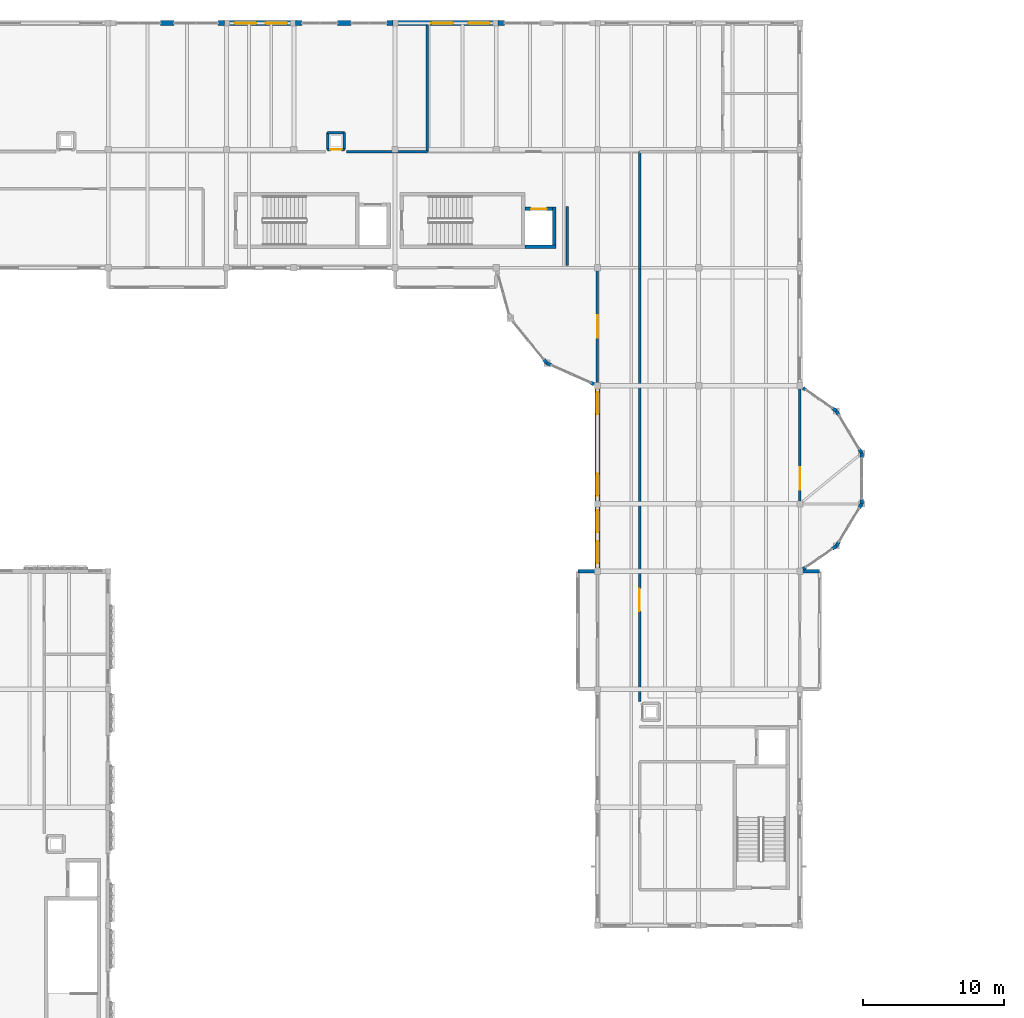
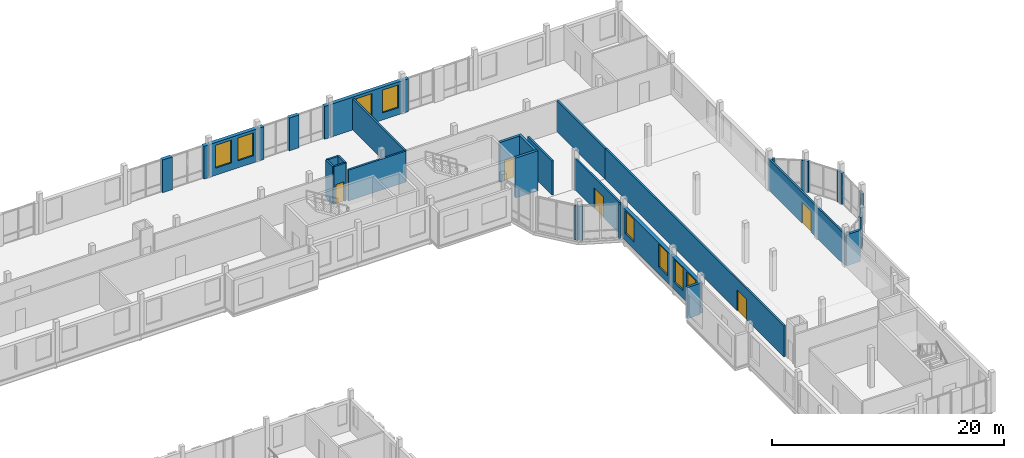
# One storey, part 61 of 81: 39 walls, 8 windows, 5 doors, 13 openings.
"""IFC4 building model written with IfcOpenShell, lengths in metres."""

from ifc_helpers import new_model, si_unit, direction, frame, frame_2d, origin, place, context, subcontext, project, spatial, rectangle, extrude, material, layer, layer_set, type_object, element, fill, save


model = new_model("IFC4")

# Units and contexts
model_context = context("Model", 3, precision=1e-05, world=origin(), true_north=direction((0.0, 1.0)))
body_context = subcontext(model_context, "Body", "Model", "MODEL_VIEW")
ifc_project = project(units=[si_unit("LENGTHUNIT", "METRE"), si_unit("AREAUNIT", "SQUARE_METRE"), si_unit("VOLUMEUNIT", "CUBIC_METRE"), si_unit("PLANEANGLEUNIT", "RADIAN"), si_unit("MASSUNIT", "GRAM", prefix="KILO")], contexts=[model_context])

# Site, building, storey
site_placement = place(None, origin())
site = spatial("IfcSite", under=ifc_project, at=site_placement, CompositionType="ELEMENT")
building_placement = place(site_placement, origin())
building = spatial("IfcBuilding", under=site, at=building_placement, Name="Kahlenmark Community Centre", CompositionType="ELEMENT")
storey_placement = place(building_placement, frame((0.0, 0.0, 9.60009765625)))
storey = spatial("IfcBuildingStorey", under=building, at=storey_placement, Name="L02", CompositionType="ELEMENT", Elevation=9.60009765625)

# Walls
ifc_material_1 = material(Name="Concrete C35/45", Category="concrete")
ifc_layer_1 = layer(ifc_material_1, 0.25)
ifc_layer_set_1 = layer_set([ifc_layer_1], Name="Concrete C35/45")
wall_type_1 = type_object("IfcWallType", Name="WT-CORE-250", PredefinedType="SHEAR", material=ifc_layer_set_1)
wall_1_placement = place(storey_placement, frame((67.25, 99.074951171875, 0.0), z_axis=(0.0, 0.0, 1.0), x_axis=(1.0, 0.0, 0.0)))
element("IfcWall", 1, at=wall_1_placement, inside=storey, type_object=wall_type_1, Name="Core K5 shear wall WL-CORE-K5-L02-0173", PredefinedType="SHEAR", context=body_context, shape_type="SweptSolid", body=[
    extrude(rectangle(XDim=2.2099609375, YDim=0.25, at=frame_2d((1.10498046875, 0.0))), origin(), (0.0, 0.0, 1.0), 4.199951171875),
])
wall_2_placement = place(storey_placement, frame((69.3349609375, 98.949951171875, 0.0), z_axis=(0.0, 0.0, 1.0), x_axis=(0.0, 1.0, 0.0)))
element("IfcWall", 2, at=wall_2_placement, inside=storey, type_object=wall_type_1, Name="Core K5 shear wall WL-CORE-K5-L02-0174", PredefinedType="SHEAR", context=body_context, shape_type="SweptSolid", body=[
    extrude(rectangle(XDim=2.9599609375, YDim=0.25, at=frame_2d((1.47998046875, 0.0))), origin(), (0.0, 0.0, 1.0), 4.199951171875),
])

# Wall, opening, door
wall_3_placement = place(storey_placement, frame((67.25, 101.784912109375, 0.0), z_axis=(0.0, 0.0, 1.0), x_axis=(1.0, 0.0, 0.0)))
wall_3 = element("IfcWall", 3, at=wall_3_placement, inside=storey, type_object=wall_type_1, Name="Core K5 shear wall WL-CORE-K5-L02-0175", PredefinedType="SHEAR", context=body_context, shape_type="SweptSolid", body=[
    extrude(rectangle(XDim=1.9599609375, YDim=0.25, at=frame_2d((0.97998046875, 0.0))), origin(), (0.0, 0.0, 1.0), 4.199951171875),
])
opening_1_placement = place(wall_3_placement, frame((0.429931640625, 0.0, -0.010009765625)))
opening_1 = element("IfcOpeningElement", 4, at=opening_1_placement, cuts=wall_3, Name="Opening LD-5", PredefinedType="OPENING", context=body_context, shape_type="SweptSolid", body=[
    extrude(rectangle(XDim=1.10009765625, YDim=2.159912109375, at=frame_2d((0.550048828125, 1.080078125))), frame((0.0, 0.135009765625, 0.0), z_axis=(0.0, -1.0, 0.0), x_axis=(1.0, 0.0, 0.0)), (0.0, 0.0, 1.0), 0.27001953125),
])
ifc_material_2 = material(Name="Brushed stainless steel sliding lift landing door", Category="steel")
door_type_1 = type_object("IfcDoorType", Name="DT-LD-K5", OperationType="SLIDING_TO_LEFT", PredefinedType="DOOR", material=ifc_material_2)
door_1_placement = place(opening_1_placement, frame((0.0, 0.0, 0.010009765625)))
door_1 = element("IfcDoor", 5, at=door_1_placement, inside=storey, type_object=door_type_1, Name="Lift LF-05 sliding landing door L02", OperationType="SLIDING_TO_LEFT", OverallHeight=2.14990234375, OverallWidth=1.10009765625, PredefinedType="DOOR", context=body_context, shape_type="SweptSolid", body=[
    extrude(rectangle(XDim=1.10009765625, YDim=2.14990234375, at=frame_2d((0.550048828125, 1.074951171875))), frame((0.0, 0.02490234375, 0.0), z_axis=(0.0, -1.0, 0.0), x_axis=(1.0, 0.0, 0.0)), (0.0, 0.0, 1.0), 0.050048828125),
])
fill(opening_1, door_1)

# Walls
ifc_material_3 = material(Name="Cross-laminated timber CLT C24", Category="wood")
ifc_layer_2 = layer(ifc_material_3, 0.239990234375)
ifc_layer_set_2 = layer_set([ifc_layer_2], Name="Cross-laminated timber CLT C24")
wall_type_2 = type_object("IfcWallType", Name="WT-EW-240", PredefinedType="SOLIDWALL", material=ifc_layer_set_2)
wall_4_placement = place(storey_placement, frame((87.0302734375, 76.159423828125, 0.0), z_axis=(0.0, 0.0, 1.0), x_axis=(0.822192191644, 0.56920997883, 0.0)))
element("IfcWall", 6, at=wall_4_placement, inside=storey, type_object=wall_type_2, Name="Rotunda pier closure 0726", PredefinedType="SOLIDWALL", context=body_context, shape_type="SweptSolid", body=[
    extrude(rectangle(XDim=0.219970703125, YDim=0.239990234375, at=frame_2d((0.10986328125, 0.0))), origin(), (0.0, 0.0, 1.0), 3.27001953125),
])
wall_5_placement = place(storey_placement, frame((89.12060546875, 77.6064453125, 0.0), z_axis=(0.0, 0.0, 1.0), x_axis=(0.821855834467, 0.569695521619, 0.0)))
element("IfcWall", 7, at=wall_5_placement, inside=storey, type_object=wall_type_2, Name="Rotunda pier closure 0727", PredefinedType="SOLIDWALL", context=body_context, shape_type="SweptSolid", body=[
    extrude(rectangle(XDim=0.33984375, YDim=0.239990234375, at=frame_2d((0.169921875, 0.0))), origin(), (0.0, 0.0, 1.0), 3.27001953125),
])
wall_6_placement = place(storey_placement, frame((89.39990234375, 77.800048828125, 0.0), z_axis=(0.0, 0.0, 1.0), x_axis=(0.514812489021, 0.857302805984, 0.0)))
element("IfcWall", 8, at=wall_6_placement, inside=storey, type_object=wall_type_2, Name="Rotunda pier closure 0728", PredefinedType="SOLIDWALL", context=body_context, shape_type="SweptSolid", body=[
    extrude(rectangle(XDim=0.340087890625, YDim=0.239990234375, at=frame_2d((0.169921875, 0.0))), origin(), (0.0, 0.0, 1.0), 3.27001953125),
])
for number, where, z_axis, x_axis, name in (
    (9, (91.025146484375, 80.508544921875, 0.0), (0.0, 0.0, 1.0), (0.514284482632, 0.857619653998, 0.0), "Rotunda pier closure 0729"),
    (10, (91.199951171875, 80.800048828125, 0.0), (0.0, 0.0, 1.0), (0.0, 1.0, 0.0), "Rotunda pier closure 0730"),
    (11, (91.199951171875, 84.06005859375, 0.0), (0.0, 0.0, 1.0), (0.0, 1.0, 0.0), "Rotunda pier closure 0731"),
    (12, (91.199951171875, 84.39990234375, 0.0), (0.0, 0.0, 1.0), (-0.514284482632, 0.857619653998, 0.0), "Rotunda pier closure 0732"),
):
    element("IfcWall", number, at=place(storey_placement, frame(where, z_axis=z_axis, x_axis=x_axis)), inside=storey, type_object=wall_type_2, Name=name, PredefinedType="SOLIDWALL", context=body_context, shape_type="SweptSolid", body=[
        extrude(rectangle(XDim=0.33984375, YDim=0.239990234375, at=frame_2d((0.169921875, 0.0))), origin(), (0.0, 0.0, 1.0), 3.27001953125),
    ])
wall_7_placement = place(storey_placement, frame((89.574951171875, 87.1083984375, 0.0), z_axis=(0.0, 0.0, 1.0), x_axis=(-0.514812489021, 0.857302805984, 0.0)))
element("IfcWall", 13, at=wall_7_placement, inside=storey, type_object=wall_type_2, Name="Rotunda pier closure 0733", PredefinedType="SOLIDWALL", context=body_context, shape_type="SweptSolid", body=[
    extrude(rectangle(XDim=0.340087890625, YDim=0.239990234375, at=frame_2d((0.169921875, 0.0))), origin(), (0.0, 0.0, 1.0), 3.27001953125),
])
wall_8_placement = place(storey_placement, frame((89.39990234375, 87.39990234375, 0.0), z_axis=(0.0, 0.0, 1.0), x_axis=(-0.821855834467, 0.569695521619, 0.0)))
element("IfcWall", 14, at=wall_8_placement, inside=storey, type_object=wall_type_2, Name="Rotunda pier closure 0734", PredefinedType="SOLIDWALL", context=body_context, shape_type="SweptSolid", body=[
    extrude(rectangle(XDim=0.33984375, YDim=0.239990234375, at=frame_2d((0.169921875, 0.0))), origin(), (0.0, 0.0, 1.0), 3.27001953125),
])
wall_9_placement = place(storey_placement, frame((87.211181640625, 88.915283203125, 0.0), z_axis=(0.0, 0.0, 1.0), x_axis=(-0.822192191644, 0.56920997883, 0.0)))
element("IfcWall", 15, at=wall_9_placement, inside=storey, type_object=wall_type_2, Name="Rotunda pier closure 0735", PredefinedType="SOLIDWALL", context=body_context, shape_type="SweptSolid", body=[
    extrude(rectangle(XDim=0.219970703125, YDim=0.239990234375, at=frame_2d((0.10986328125, 0.0))), origin(), (0.0, 0.0, 1.0), 3.27001953125),
])
wall_10_placement = place(storey_placement, frame((68.585693359375, 91.06396484375, 0.0), z_axis=(0.0, 0.0, 1.0), x_axis=(0.630457451131, -0.776223809422, 0.0)))
element("IfcWall", 16, at=wall_10_placement, inside=storey, type_object=wall_type_2, Name="Rotunda pier closure 0783", PredefinedType="SOLIDWALL", context=body_context, shape_type="SweptSolid", body=[
    extrude(rectangle(XDim=0.340087890625, YDim=0.239990234375, at=frame_2d((0.169921875, 0.0))), origin(), (0.0, 0.0, 1.0), 3.60986328125),
])
wall_11_placement = place(storey_placement, frame((68.800048828125, 90.800048828125, 0.0), z_axis=(0.0, 0.0, 1.0), x_axis=(0.913633745955, -0.406538286329, 0.0)))
element("IfcWall", 17, at=wall_11_placement, inside=storey, type_object=wall_type_2, Name="Rotunda pier closure 0784", PredefinedType="SOLIDWALL", context=body_context, shape_type="SweptSolid", body=[
    extrude(rectangle(XDim=0.33984375, YDim=0.239990234375, at=frame_2d((0.169921875, 0.0))), origin(), (0.0, 0.0, 1.0), 3.60986328125),
])
wall_12_placement = place(storey_placement, frame((71.943115234375, 89.403076171875, 0.0), z_axis=(0.0, 0.0, 1.0), x_axis=(0.913719959968, -0.406344477944, 0.0)))
element("IfcWall", 18, at=wall_12_placement, inside=storey, type_object=wall_type_2, Name="Rotunda pier closure 0785", PredefinedType="SOLIDWALL", context=body_context, shape_type="SweptSolid", body=[
    extrude(rectangle(XDim=0.219970703125, YDim=0.239990234375, at=frame_2d((0.10986328125, 0.0))), origin(), (0.0, 0.0, 1.0), 3.60986328125),
])
wall_13_placement = place(storey_placement, frame((88.199951171875, 76.0, 0.0), z_axis=(0.0, 0.0, 1.0), x_axis=(-1.0, 0.0, 0.0)))
element("IfcWall", 19, at=wall_13_placement, inside=storey, type_object=wall_type_2, Name="Bay oriel wall WL-ORI-L02-0813", PredefinedType="SOLIDWALL", context=body_context, shape_type="SweptSolid", body=[
    extrude(rectangle(XDim=1.39990234375, YDim=0.239990234375, at=frame_2d((0.699951171875, 0.0))), origin(), (0.0, 0.0, 1.0), 3.27001953125),
])
wall_14_placement = place(storey_placement, frame((71.0, 76.0, 0.0), z_axis=(0.0, 0.0, 1.0), x_axis=(1.0, 0.0, 0.0)))
element("IfcWall", 20, at=wall_14_placement, inside=storey, type_object=wall_type_2, Name="Bay oriel wall WL-ORI-L02-0849", PredefinedType="SOLIDWALL", context=body_context, shape_type="SweptSolid", body=[
    extrude(rectangle(XDim=1.25, YDim=0.239990234375, at=frame_2d((0.625, 0.0))), origin(), (0.0, 0.0, 1.0), 3.27001953125),
])
ifc_material_4 = material(Name="Danube limestone masonry", Category="masonry")
ifc_layer_3 = layer(ifc_material_4, 0.360107421875)
ifc_layer_set_3 = layer_set([ifc_layer_3], Name="Danube limestone masonry")
wall_type_3 = type_object("IfcWallType", Name="WT-EW-360", PredefinedType="SOLIDWALL", material=ifc_layer_set_3)
wall_15_placement = place(storey_placement, frame((42.280029296875, 115.0, 0.0), z_axis=(0.0, 0.0, 1.0), x_axis=(-1.0, 0.0, 0.0)))
element("IfcWall", 21, at=wall_15_placement, inside=storey, type_object=wall_type_3, Name="Postmodern limestone pier 0501", PredefinedType="SOLIDWALL", context=body_context, shape_type="SweptSolid", body=[
    extrude(rectangle(XDim=0.9599609375, YDim=0.360107421875, at=frame_2d((0.47998046875, 0.0))), origin(), (0.0, 0.0, 1.0), 3.449951171875),
])
wall_16_placement = place(storey_placement, frame((45.8701171875, 115.0, 0.0), z_axis=(0.0, 0.0, 1.0), x_axis=(-1.0, 0.0, 0.0)))
element("IfcWall", 22, at=wall_16_placement, inside=storey, type_object=wall_type_3, Name="Column closure pier 0502", PredefinedType="SOLIDWALL", context=body_context, shape_type="SweptSolid", body=[
    extrude(rectangle(XDim=0.4501953125, YDim=0.360107421875, at=frame_2d((0.22509765625, 0.0))), origin(), (0.0, 0.0, 1.0), 3.449951171875),
])

# Wall, openings, windows
wall_17_placement = place(storey_placement, frame((50.800048828125, 115.0, 0.0), z_axis=(0.0, 0.0, 1.0), x_axis=(-1.0, 0.0, 0.0)))
wall_17 = element("IfcWall", 23, at=wall_17_placement, inside=storey, type_object=wall_type_3, Name="Exterior wall WL-EXT-L02-0504", PredefinedType="SOLIDWALL", context=body_context, shape_type="SweptSolid", body=[
    extrude(rectangle(XDim=4.800048828125, YDim=0.360107421875, at=frame_2d((2.39990234375, 0.0))), origin(), (0.0, 0.0, 1.0), 3.449951171875),
])
opening_2_placement = place(wall_17_placement, frame((0.4599609375, 0.0, 0.75)))
opening_2 = element("IfcOpeningElement", 24, at=opening_2_placement, cuts=wall_17, Name="Opening W-155X240", PredefinedType="OPENING", context=body_context, shape_type="SweptSolid", body=[
    extrude(rectangle(XDim=1.550048828125, YDim=2.39990234375, at=frame_2d((0.77490234375, 1.199951171875))), frame((0.0, 0.18994140625, 0.0), z_axis=(0.0, -1.0, 0.0), x_axis=(1.0, 0.0, 0.0)), (0.0, 0.0, 1.0), 0.380126953125),
])
opening_3_placement = place(wall_17_placement, frame((2.659912109375, 0.0, 0.75)))
opening_3 = element("IfcOpeningElement", 25, at=opening_3_placement, cuts=wall_17, Name="Opening W-155X240", PredefinedType="OPENING", context=body_context, shape_type="SweptSolid", body=[
    extrude(rectangle(XDim=1.550048828125, YDim=2.39990234375, at=frame_2d((0.77490234375, 1.199951171875))), frame((0.0, 0.18994140625, 0.0), z_axis=(0.0, -1.0, 0.0), x_axis=(1.0, 0.0, 0.0)), (0.0, 0.0, 1.0), 0.380126953125),
])
ifc_material_5 = material(Name="Deep-reveal limestone punched triple glazing", Category="masonry")
window_type_1 = type_object("IfcWindowType", Name="WNT-155X240", PartitioningType="DOUBLE_PANEL_HORIZONTAL", PredefinedType="WINDOW", material=ifc_material_5)
window_1_placement = place(opening_2_placement, origin())
window_1 = element("IfcWindow", 26, at=window_1_placement, inside=storey, type_object=window_type_1, Name="Window W-155X240 #0299", OverallHeight=2.39990234375, OverallWidth=1.550048828125, PartitioningType="DOUBLE_PANEL_HORIZONTAL", PredefinedType="WINDOW", context=body_context, shape_type="SweptSolid", body=[
    extrude(rectangle(XDim=1.550048828125, YDim=2.39990234375, at=frame_2d((0.77490234375, 1.199951171875))), frame((0.0, 0.030029296875, 0.0), z_axis=(0.0, -1.0, 0.0), x_axis=(1.0, 0.0, 0.0)), (0.0, 0.0, 1.0), 0.06005859375),
])
fill(opening_2, window_1)
window_2_placement = place(opening_3_placement, origin())
window_2 = element("IfcWindow", 27, at=window_2_placement, inside=storey, type_object=window_type_1, Name="Window W-155X240 #0300", OverallHeight=2.39990234375, OverallWidth=1.550048828125, PartitioningType="DOUBLE_PANEL_HORIZONTAL", PredefinedType="WINDOW", context=body_context, shape_type="SweptSolid", body=[
    extrude(rectangle(XDim=1.550048828125, YDim=2.39990234375, at=frame_2d((0.77490234375, 1.199951171875))), frame((0.0, 0.030029296875, 0.0), z_axis=(0.0, -1.0, 0.0), x_axis=(1.0, 0.0, 0.0)), (0.0, 0.0, 1.0), 0.06005859375),
])
fill(opening_3, window_2)

# Walls
wall_18_placement = place(storey_placement, frame((54.8798828125, 115.0, 0.0), z_axis=(0.0, 0.0, 1.0), x_axis=(-1.0, 0.0, 0.0)))
element("IfcWall", 28, at=wall_18_placement, inside=storey, type_object=wall_type_3, Name="Postmodern limestone pier 0505", PredefinedType="SOLIDWALL", context=body_context, shape_type="SweptSolid", body=[
    extrude(rectangle(XDim=0.9599609375, YDim=0.360107421875, at=frame_2d((0.47998046875, 0.0))), origin(), (0.0, 0.0, 1.0), 3.449951171875),
])
wall_19_placement = place(storey_placement, frame((57.8701171875, 115.0, 0.0), z_axis=(0.0, 0.0, 1.0), x_axis=(-1.0, 0.0, 0.0)))
element("IfcWall", 29, at=wall_19_placement, inside=storey, type_object=wall_type_3, Name="Column closure pier 0506", PredefinedType="SOLIDWALL", context=body_context, shape_type="SweptSolid", body=[
    extrude(rectangle(XDim=0.4501953125, YDim=0.360107421875, at=frame_2d((0.22509765625, 0.0))), origin(), (0.0, 0.0, 1.0), 3.449951171875),
])
wall_20_placement = place(storey_placement, frame((51.3798828125, 115.0, 0.0), z_axis=(0.0, 0.0, 1.0), x_axis=(-1.0, 0.0, 0.0)))
element("IfcWall", 30, at=wall_20_placement, inside=storey, type_object=wall_type_3, Name="Column closure pier 0507", PredefinedType="SOLIDWALL", context=body_context, shape_type="SweptSolid", body=[
    extrude(rectangle(XDim=0.449951171875, YDim=0.360107421875, at=frame_2d((0.22509765625, 0.0))), origin(), (0.0, 0.0, 1.0), 3.449951171875),
])

# Wall, openings, windows
wall_21_placement = place(storey_placement, frame((65.199951171875, 115.0, 0.0), z_axis=(0.0, 0.0, 1.0), x_axis=(-1.0, 0.0, 0.0)))
wall_21 = element("IfcWall", 31, at=wall_21_placement, inside=storey, type_object=wall_type_3, Name="Exterior wall WL-EXT-L02-0508", PredefinedType="SOLIDWALL", context=body_context, shape_type="SweptSolid", body=[
    extrude(rectangle(XDim=7.199951171875, YDim=0.360107421875, at=frame_2d((3.60009765625, 0.0))), origin(), (0.0, 0.0, 1.0), 3.449951171875),
])
opening_4_placement = place(wall_21_placement, frame((0.4599609375, 0.0, 0.75)))
opening_4 = element("IfcOpeningElement", 32, at=opening_4_placement, cuts=wall_21, Name="Opening W-155X240", PredefinedType="OPENING", context=body_context, shape_type="SweptSolid", body=[
    extrude(rectangle(XDim=1.550048828125, YDim=2.39990234375, at=frame_2d((0.77490234375, 1.199951171875))), frame((0.0, 0.18994140625, 0.0), z_axis=(0.0, -1.0, 0.0), x_axis=(1.0, 0.0, 0.0)), (0.0, 0.0, 1.0), 0.380126953125),
])
opening_5_placement = place(wall_21_placement, frame((3.06005859375, 0.0, 0.75)))
opening_5 = element("IfcOpeningElement", 33, at=opening_5_placement, cuts=wall_21, Name="Opening W-155X240", PredefinedType="OPENING", context=body_context, shape_type="SweptSolid", body=[
    extrude(rectangle(XDim=1.550048828125, YDim=2.39990234375, at=frame_2d((0.77490234375, 1.199951171875))), frame((0.0, 0.18994140625, 0.0), z_axis=(0.0, -1.0, 0.0), x_axis=(1.0, 0.0, 0.0)), (0.0, 0.0, 1.0), 0.380126953125),
])
window_3_placement = place(opening_4_placement, origin())
window_3 = element("IfcWindow", 34, at=window_3_placement, inside=storey, type_object=window_type_1, Name="Window W-155X240 #0301", OverallHeight=2.39990234375, OverallWidth=1.550048828125, PartitioningType="DOUBLE_PANEL_HORIZONTAL", PredefinedType="WINDOW", context=body_context, shape_type="SweptSolid", body=[
    extrude(rectangle(XDim=1.550048828125, YDim=2.39990234375, at=frame_2d((0.77490234375, 1.199951171875))), frame((0.0, 0.030029296875, 0.0), z_axis=(0.0, -1.0, 0.0), x_axis=(1.0, 0.0, 0.0)), (0.0, 0.0, 1.0), 0.06005859375),
])
fill(opening_4, window_3)
window_4_placement = place(opening_5_placement, origin())
window_4 = element("IfcWindow", 35, at=window_4_placement, inside=storey, type_object=window_type_1, Name="Window W-155X240 #0302", OverallHeight=2.39990234375, OverallWidth=1.550048828125, PartitioningType="DOUBLE_PANEL_HORIZONTAL", PredefinedType="WINDOW", context=body_context, shape_type="SweptSolid", body=[
    extrude(rectangle(XDim=1.550048828125, YDim=2.39990234375, at=frame_2d((0.77490234375, 1.199951171875))), frame((0.0, 0.030029296875, 0.0), z_axis=(0.0, -1.0, 0.0), x_axis=(1.0, 0.0, 0.0)), (0.0, 0.0, 1.0), 0.06005859375),
])
fill(opening_5, window_4)

# Wall
wall_22_placement = place(storey_placement, frame((65.780029296875, 115.0, 0.0), z_axis=(0.0, 0.0, 1.0), x_axis=(-1.0, 0.0, 0.0)))
element("IfcWall", 36, at=wall_22_placement, inside=storey, type_object=wall_type_3, Name="Column closure pier 0511", PredefinedType="SOLIDWALL", context=body_context, shape_type="SweptSolid", body=[
    extrude(rectangle(XDim=0.449951171875, YDim=0.360107421875, at=frame_2d((0.22509765625, 0.0))), origin(), (0.0, 0.0, 1.0), 3.449951171875),
])

# Wall, openings, windows
wall_23_placement = place(storey_placement, frame((72.39990234375, 80.800048828125, 0.0), z_axis=(0.0, 0.0, 1.0), x_axis=(0.0, -1.0, 0.0)))
wall_23 = element("IfcWall", 37, at=wall_23_placement, inside=storey, type_object=wall_type_3, Name="Exterior wall WL-EXT-L02-0526", PredefinedType="SOLIDWALL", context=body_context, shape_type="SweptSolid", body=[
    extrude(rectangle(XDim=4.800048828125, YDim=0.360107421875, at=frame_2d((2.39990234375, 0.0))), origin(), (0.0, 0.0, 1.0), 3.27001953125),
])
opening_6_placement = place(wall_23_placement, frame((0.4599609375, 0.0, 0.75)))
opening_6 = element("IfcOpeningElement", 38, at=opening_6_placement, cuts=wall_23, Name="Opening W-155X238", PredefinedType="OPENING", context=body_context, shape_type="SweptSolid", body=[
    extrude(rectangle(XDim=1.550048828125, YDim=2.3798828125, at=frame_2d((0.77490234375, 1.18994140625))), frame((0.0, 0.18994140625, 0.0), z_axis=(0.0, -1.0, 0.0), x_axis=(1.0, 0.0, 0.0)), (0.0, 0.0, 1.0), 0.380126953125),
])
opening_7_placement = place(wall_23_placement, frame((2.659912109375, 0.0, 0.75)))
opening_7 = element("IfcOpeningElement", 39, at=opening_7_placement, cuts=wall_23, Name="Opening W-155X238", PredefinedType="OPENING", context=body_context, shape_type="SweptSolid", body=[
    extrude(rectangle(XDim=1.550048828125, YDim=2.3798828125, at=frame_2d((0.77490234375, 1.18994140625))), frame((0.0, 0.18994140625, 0.0), z_axis=(0.0, -1.0, 0.0), x_axis=(1.0, 0.0, 0.0)), (0.0, 0.0, 1.0), 0.380126953125),
])
window_type_2 = type_object("IfcWindowType", Name="WNT-155X238", PartitioningType="DOUBLE_PANEL_HORIZONTAL", PredefinedType="WINDOW", material=ifc_material_5)
window_5_placement = place(opening_6_placement, origin())
window_5 = element("IfcWindow", 40, at=window_5_placement, inside=storey, type_object=window_type_2, Name="Window W-155X238 #0319", OverallHeight=2.3798828125, OverallWidth=1.550048828125, PartitioningType="DOUBLE_PANEL_HORIZONTAL", PredefinedType="WINDOW", context=body_context, shape_type="SweptSolid", body=[
    extrude(rectangle(XDim=1.550048828125, YDim=2.3798828125, at=frame_2d((0.77490234375, 1.18994140625))), frame((0.0, 0.030029296875, 0.0), z_axis=(0.0, -1.0, 0.0), x_axis=(1.0, 0.0, 0.0)), (0.0, 0.0, 1.0), 0.06005859375),
])
fill(opening_6, window_5)
window_6_placement = place(opening_7_placement, origin())
window_6 = element("IfcWindow", 41, at=window_6_placement, inside=storey, type_object=window_type_2, Name="Window W-155X238 #0320", OverallHeight=2.3798828125, OverallWidth=1.550048828125, PartitioningType="DOUBLE_PANEL_HORIZONTAL", PredefinedType="WINDOW", context=body_context, shape_type="SweptSolid", body=[
    extrude(rectangle(XDim=1.550048828125, YDim=2.3798828125, at=frame_2d((0.77490234375, 1.18994140625))), frame((0.0, 0.030029296875, 0.0), z_axis=(0.0, -1.0, 0.0), x_axis=(1.0, 0.0, 0.0)), (0.0, 0.0, 1.0), 0.06005859375),
])
fill(opening_7, window_6)

wall_24_placement = place(storey_placement, frame((72.39990234375, 89.199951171875, 0.0), z_axis=(0.0, 0.0, 1.0), x_axis=(0.0, -1.0, 0.0)))
wall_24 = element("IfcWall", 42, at=wall_24_placement, inside=storey, type_object=wall_type_3, Name="Exterior wall WL-EXT-L02-0527", PredefinedType="SOLIDWALL", context=body_context, shape_type="SweptSolid", body=[
    extrude(rectangle(XDim=8.39990234375, YDim=0.360107421875, at=frame_2d((4.199951171875, 0.0))), origin(), (0.0, 0.0, 1.0), 3.27001953125),
])
opening_8_placement = place(wall_24_placement, frame((0.4599609375, 0.0, 0.75)))
opening_8 = element("IfcOpeningElement", 43, at=opening_8_placement, cuts=wall_24, Name="Opening W-155X238", PredefinedType="OPENING", context=body_context, shape_type="SweptSolid", body=[
    extrude(rectangle(XDim=1.550048828125, YDim=2.3798828125, at=frame_2d((0.77490234375, 1.18994140625))), frame((0.0, 0.18994140625, 0.0), z_axis=(0.0, -1.0, 0.0), x_axis=(1.0, 0.0, 0.0)), (0.0, 0.0, 1.0), 0.380126953125),
])
opening_9_placement = place(wall_24_placement, frame((6.260009765625, 0.0, 0.75)))
opening_9 = element("IfcOpeningElement", 44, at=opening_9_placement, cuts=wall_24, Name="Opening W-155X238", PredefinedType="OPENING", context=body_context, shape_type="SweptSolid", body=[
    extrude(rectangle(XDim=1.550048828125, YDim=2.3798828125, at=frame_2d((0.77490234375, 1.18994140625))), frame((0.0, 0.18994140625, 0.0), z_axis=(0.0, -1.0, 0.0), x_axis=(1.0, 0.0, 0.0)), (0.0, 0.0, 1.0), 0.380126953125),
])
window_7_placement = place(opening_8_placement, origin())
window_7 = element("IfcWindow", 45, at=window_7_placement, inside=storey, type_object=window_type_2, Name="Window W-155X238 #0321", OverallHeight=2.3798828125, OverallWidth=1.550048828125, PartitioningType="DOUBLE_PANEL_HORIZONTAL", PredefinedType="WINDOW", context=body_context, shape_type="SweptSolid", body=[
    extrude(rectangle(XDim=1.550048828125, YDim=2.3798828125, at=frame_2d((0.77490234375, 1.18994140625))), frame((0.0, 0.030029296875, 0.0), z_axis=(0.0, -1.0, 0.0), x_axis=(1.0, 0.0, 0.0)), (0.0, 0.0, 1.0), 0.06005859375),
])
fill(opening_8, window_7)
window_8_placement = place(opening_9_placement, origin())
window_8 = element("IfcWindow", 46, at=window_8_placement, inside=storey, type_object=window_type_2, Name="Window W-155X238 #0322", OverallHeight=2.3798828125, OverallWidth=1.550048828125, PartitioningType="DOUBLE_PANEL_HORIZONTAL", PredefinedType="WINDOW", context=body_context, shape_type="SweptSolid", body=[
    extrude(rectangle(XDim=1.550048828125, YDim=2.3798828125, at=frame_2d((0.77490234375, 1.18994140625))), frame((0.0, 0.030029296875, 0.0), z_axis=(0.0, -1.0, 0.0), x_axis=(1.0, 0.0, 0.0)), (0.0, 0.0, 1.0), 0.06005859375),
])
fill(opening_9, window_8)

# Walls
ifc_material_6 = material(Name="Gypsum plasterboard partition", Category="gypsum")
ifc_layer_4 = layer(ifc_material_6, 0.179931640625)
ifc_layer_set_4 = layer_set([ifc_layer_4], Name="Gypsum plasterboard partition")
wall_type_4 = type_object("IfcWallType", Name="WT-PW-180", PredefinedType="PARTITIONING", material=ifc_layer_set_4)
wall_25_placement = place(storey_placement, frame((70.25, 97.760009765625, 0.0), z_axis=(0.0, 0.0, 1.0), x_axis=(0.0, 1.0, 0.0)))
element("IfcWall", 47, at=wall_25_placement, inside=storey, type_object=wall_type_4, Name="Interior partition WL-INT-L02-0192", PredefinedType="PARTITIONING", context=body_context, shape_type="SweptSolid", body=[
    extrude(rectangle(XDim=4.18994140625, YDim=0.179931640625, at=frame_2d((2.094970703125, 0.0))), origin(), (0.0, 0.0, 1.0), 3.60986328125),
])
wall_26_placement = place(storey_placement, frame((54.550048828125, 105.85009765625, 0.0), z_axis=(0.0, 0.0, 1.0), x_axis=(1.0, 0.0, 0.0)))
element("IfcWall", 48, at=wall_26_placement, inside=storey, type_object=wall_type_4, Name="Interior partition WL-INT-L02-0195", PredefinedType="PARTITIONING", context=body_context, shape_type="SweptSolid", body=[
    extrude(rectangle(XDim=5.75, YDim=0.179931640625, at=frame_2d((2.875, 0.0))), origin(), (0.0, 0.0, 1.0), 3.25),
])
wall_27_placement = place(storey_placement, frame((60.300048828125, 105.85009765625, 0.0), z_axis=(0.0, 0.0, 1.0), x_axis=(0.0, 1.0, 0.0)))
element("IfcWall", 49, at=wall_27_placement, inside=storey, type_object=wall_type_4, Name="Interior partition WL-INT-L02-0199", PredefinedType="PARTITIONING", context=body_context, shape_type="SweptSolid", body=[
    extrude(rectangle(XDim=9.010009765625, YDim=0.179931640625, at=frame_2d((4.5048828125, 0.0))), origin(), (0.0, 0.0, 1.0), 3.25),
])

# Wall, opening, door
wall_28_placement = place(storey_placement, frame((75.39990234375, 66.75, 0.0), z_axis=(0.0, 0.0, 1.0), x_axis=(0.0, 1.0, 0.0)))
wall_28 = element("IfcWall", 50, at=wall_28_placement, inside=storey, type_object=wall_type_4, Name="Interior partition WL-INT-L02-0207", PredefinedType="PARTITIONING", context=body_context, shape_type="SweptSolid", body=[
    extrude(rectangle(XDim=30.75, YDim=0.179931640625, at=frame_2d((15.375, 0.0))), origin(), (0.0, 0.0, 1.0), 3.27001953125),
])
opening_10_placement = place(wall_28_placement, frame((6.4130859375, 0.0, -0.010009765625)))
opening_10 = element("IfcOpeningElement", 51, at=opening_10_placement, cuts=wall_28, Name="Opening D-L02-119", PredefinedType="OPENING", context=body_context, shape_type="SweptSolid", body=[
    extrude(rectangle(XDim=1.60009765625, YDim=2.2099609375, at=frame_2d((0.800048828125, 1.10498046875))), frame((0.0, 0.099853515625, 0.0), z_axis=(0.0, -1.0, 0.0), x_axis=(1.0, 0.0, 0.0)), (0.0, 0.0, 1.0), 0.199951171875),
])
ifc_material_7 = material(Name="Oak double-leaf acoustic door")
door_type_2 = type_object("IfcDoorType", Name="DT-DBL-160X220", OperationType="NOTDEFINED", PredefinedType="DOOR", material=ifc_material_7)
door_2_placement = place(opening_10_placement, frame((0.0, 0.0, 0.010009765625)))
door_2 = element("IfcDoor", 52, at=door_2_placement, inside=storey, type_object=door_type_2, Name="Interior door D-L02-119", OperationType="DOUBLE_SWING_LEFT", OverallHeight=2.199951171875, OverallWidth=1.60009765625, PredefinedType="DOOR", context=body_context, shape_type="SweptSolid", body=[
    extrude(rectangle(XDim=1.60009765625, YDim=2.199951171875, at=frame_2d((0.800048828125, 1.10009765625))), frame((0.0, 0.02490234375, 0.0), z_axis=(0.0, -1.0, 0.0), x_axis=(1.0, 0.0, 0.0)), (0.0, 0.0, 1.0), 0.050048828125),
])
fill(opening_10, door_2)

# Wall
wall_29_placement = place(storey_placement, frame((75.39990234375, 97.5, 0.0), z_axis=(0.0, 0.0, 1.0), x_axis=(0.0, 1.0, 0.0)))
element("IfcWall", 53, at=wall_29_placement, inside=storey, type_object=wall_type_4, Name="Interior partition WL-INT-L02-0208", PredefinedType="PARTITIONING", context=body_context, shape_type="SweptSolid", body=[
    extrude(rectangle(XDim=8.35009765625, YDim=0.179931640625, at=frame_2d((4.175048828125, 0.0))), origin(), (0.0, 0.0, 1.0), 3.25),
])

# Wall, opening, door
wall_30_placement = place(storey_placement, frame((86.800048828125, 76.0, 0.0), z_axis=(0.0, 0.0, 1.0), x_axis=(0.0, 1.0, 0.0)))
wall_30 = element("IfcWall", 54, at=wall_30_placement, inside=storey, type_object=wall_type_4, Name="Interior partition WL-INT-L02-0209", PredefinedType="PARTITIONING", context=body_context, shape_type="SweptSolid", body=[
    extrude(rectangle(XDim=13.199951171875, YDim=0.179931640625, at=frame_2d((6.60009765625, 0.0))), origin(), (0.0, 0.0, 1.0), 3.27001953125),
])
opening_11_placement = place(wall_30_placement, frame((5.800048828125, 0.0, -0.010009765625)))
opening_11 = element("IfcOpeningElement", 55, at=opening_11_placement, cuts=wall_30, Name="Opening D-L02-120", PredefinedType="OPENING", context=body_context, shape_type="SweptSolid", body=[
    extrude(rectangle(XDim=1.60009765625, YDim=2.2099609375, at=frame_2d((0.800048828125, 1.10498046875))), frame((0.0, 0.099853515625, 0.0), z_axis=(0.0, -1.0, 0.0), x_axis=(1.0, 0.0, 0.0)), (0.0, 0.0, 1.0), 0.199951171875),
])
door_3_placement = place(opening_11_placement, frame((1.60009765625, 0.0, 0.010009765625), z_axis=(0.0, 0.0, 1.0), x_axis=(-1.0, 0.0, 0.0)))
door_3 = element("IfcDoor", 56, at=door_3_placement, inside=storey, type_object=door_type_2, Name="Interior door D-L02-120", OperationType="DOUBLE_SWING_LEFT", OverallHeight=2.199951171875, OverallWidth=1.60009765625, PredefinedType="DOOR", context=body_context, shape_type="SweptSolid", body=[
    extrude(rectangle(XDim=1.60009765625, YDim=2.199951171875, at=frame_2d((0.800048828125, 1.10009765625))), frame((0.0, 0.02490234375, 0.0), z_axis=(0.0, -1.0, 0.0), x_axis=(1.0, 0.0, 0.0)), (0.0, 0.0, 1.0), 0.050048828125),
])
fill(opening_11, door_3)

wall_31_placement = place(storey_placement, frame((72.39990234375, 89.199951171875, 0.0), z_axis=(0.0, 0.0, 1.0), x_axis=(0.0, 1.0, 0.0)))
wall_31 = element("IfcWall", 57, at=wall_31_placement, inside=storey, type_object=wall_type_4, Name="Interior partition WL-INT-L02-0210", PredefinedType="PARTITIONING", context=body_context, shape_type="SweptSolid", body=[
    extrude(rectangle(XDim=8.400146484375, YDim=0.179931640625, at=frame_2d((4.2001953125, 0.0))), origin(), (0.0, 0.0, 1.0), 3.27001953125),
])
opening_12_placement = place(wall_31_placement, frame((3.39990234375, 0.0, -0.010009765625)))
opening_12 = element("IfcOpeningElement", 58, at=opening_12_placement, cuts=wall_31, Name="Opening D-L02-121", PredefinedType="OPENING", context=body_context, shape_type="SweptSolid", body=[
    extrude(rectangle(XDim=1.60009765625, YDim=2.2099609375, at=frame_2d((0.800048828125, 1.10498046875))), frame((0.0, 0.099853515625, 0.0), z_axis=(0.0, -1.0, 0.0), x_axis=(1.0, 0.0, 0.0)), (0.0, 0.0, 1.0), 0.199951171875),
])
door_4_placement = place(opening_12_placement, frame((0.0, 0.0, 0.010009765625)))
door_4 = element("IfcDoor", 59, at=door_4_placement, inside=storey, type_object=door_type_2, Name="Interior door D-L02-121", OperationType="DOUBLE_SWING_LEFT", OverallHeight=2.199951171875, OverallWidth=1.60009765625, PredefinedType="DOOR", context=body_context, shape_type="SweptSolid", body=[
    extrude(rectangle(XDim=1.60009765625, YDim=2.199951171875, at=frame_2d((0.800048828125, 1.10009765625))), frame((0.0, 0.02490234375, 0.0), z_axis=(0.0, -1.0, 0.0), x_axis=(1.0, 0.0, 0.0)), (0.0, 0.0, 1.0), 0.050048828125),
])
fill(opening_12, door_4)

ifc_material_8 = material(Name="Masonry blockwork", Category="masonry")
ifc_layer_5 = layer(ifc_material_8, 0.179931640625)
ifc_layer_set_5 = layer_set([ifc_layer_5], Name="Masonry blockwork")
wall_type_5 = type_object("IfcWallType", Name="WT-RISER-180", PredefinedType="SOLIDWALL", material=ifc_layer_set_5)
wall_32_placement = place(storey_placement, frame((53.199951171875, 106.0, 0.0), z_axis=(0.0, 0.0, 1.0), x_axis=(1.0, 0.0, 0.0)))
wall_32 = element("IfcWall", 60, at=wall_32_placement, inside=storey, type_object=wall_type_5, Name="Riser RS-07 shaft wall L02.1", PredefinedType="SOLIDWALL", context=body_context, shape_type="SweptSolid", body=[
    extrude(rectangle(XDim=1.199951171875, YDim=0.179931640625, at=frame_2d((0.60009765625, 0.0))), origin(), (0.0, 0.0, 1.0), 3.969970703125),
])
opening_13_placement = place(wall_32_placement, frame((0.199951171875, 0.0, -0.010009765625)))
opening_13 = element("IfcOpeningElement", 61, at=opening_13_placement, cuts=wall_32, Name="Opening FD-RS80", PredefinedType="OPENING", context=body_context, shape_type="SweptSolid", body=[
    extrude(rectangle(XDim=0.800048828125, YDim=2.06005859375, at=frame_2d((0.39990234375, 1.030029296875))), frame((0.0, 0.099853515625, 0.0), z_axis=(0.0, -1.0, 0.0), x_axis=(1.0, 0.0, 0.0)), (0.0, 0.0, 1.0), 0.199951171875),
])
ifc_material_9 = material(Name="Fire-rated steel service riser door FD60S", Category="steel")
door_type_3 = type_object("IfcDoorType", Name="DT-RISER-80X205", OperationType="NOTDEFINED", PredefinedType="DOOR", material=ifc_material_9)
door_5_placement = place(opening_13_placement, frame((0.0, 0.0, 0.010009765625)))
door_5 = element("IfcDoor", 62, at=door_5_placement, inside=storey, type_object=door_type_3, Name="Riser RS-07 access door L02", OperationType="SINGLE_SWING_RIGHT", OverallHeight=2.050048828125, OverallWidth=0.800048828125, PredefinedType="DOOR", context=body_context, shape_type="SweptSolid", body=[
    extrude(rectangle(XDim=0.800048828125, YDim=2.050048828125, at=frame_2d((0.39990234375, 1.02490234375))), frame((0.0, 0.02490234375, 0.0), z_axis=(0.0, -1.0, 0.0), x_axis=(1.0, 0.0, 0.0)), (0.0, 0.0, 1.0), 0.050048828125),
])
fill(opening_13, door_5)

# Walls
for number, where, z_axis, x_axis, name in (
    (63, (54.39990234375, 106.0, 0.0), (0.0, 0.0, 1.0), (0.0, 1.0, 0.0), "Riser RS-07 shaft wall L02.2"),
    (64, (54.39990234375, 107.199951171875, 0.0), (0.0, 0.0, 1.0), (-1.0, 0.0, 0.0), "Riser RS-07 shaft wall L02.3"),
    (65, (53.199951171875, 107.199951171875, 0.0), (0.0, 0.0, 1.0), (0.0, -1.0, 0.0), "Riser RS-07 shaft wall L02.4"),
):
    element("IfcWall", number, at=place(storey_placement, frame(where, z_axis=z_axis, x_axis=x_axis)), inside=storey, type_object=wall_type_5, Name=name, PredefinedType="SOLIDWALL", context=body_context, shape_type="SweptSolid", body=[
        extrude(rectangle(XDim=1.199951171875, YDim=0.179931640625, at=frame_2d((0.60009765625, 0.0))), origin(), (0.0, 0.0, 1.0), 3.969970703125),
    ])

save(model, "model.ifc")
